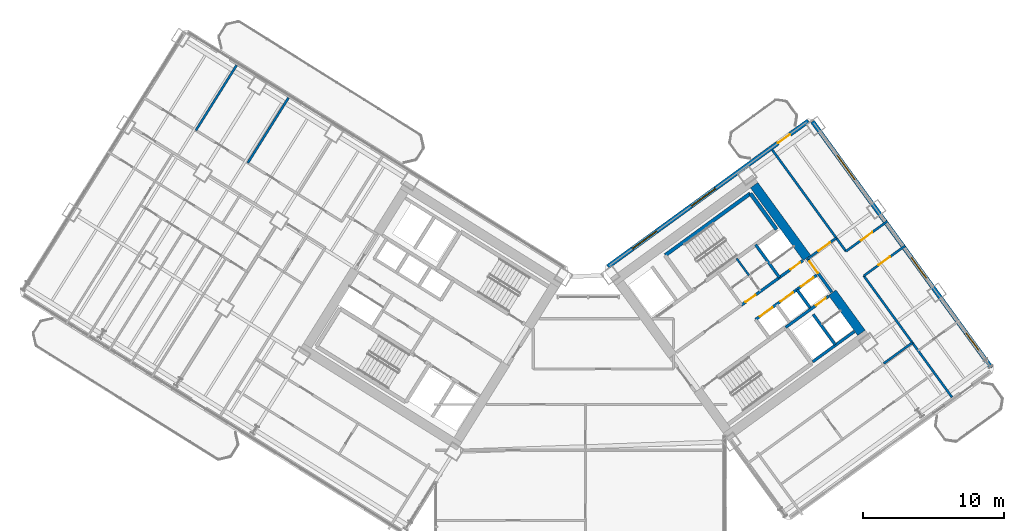
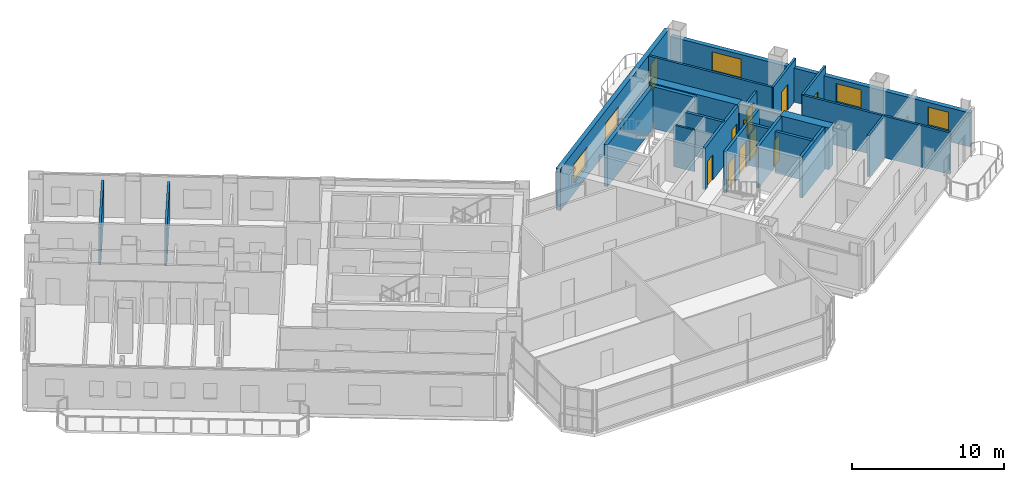
# One storey, part 19 of 28: 23 walls, 11 doors, 5 windows, 16 openings.
"""IFC4 building model written with IfcOpenShell, lengths in metres."""

from ifc_helpers import new_model, si_unit, direction, frame, frame_2d, origin, place, context, subcontext, project, spatial, rectangle, extrude, source, transform, mapped, material, layer, layer_set, type_object, element, fill, save


model = new_model("IFC4")

# Units and contexts
model_context = context("Model", 3, precision=1e-05, world=origin(), true_north=direction((0.0, 1.0)))
body_context = subcontext(model_context, "Body", "Model", "MODEL_VIEW")
ifc_project = project(units=[si_unit("LENGTHUNIT", "METRE"), si_unit("AREAUNIT", "SQUARE_METRE"), si_unit("VOLUMEUNIT", "CUBIC_METRE"), si_unit("PLANEANGLEUNIT", "RADIAN"), si_unit("MASSUNIT", "GRAM", prefix="KILO")], contexts=[model_context])

# Site, building, storey
site_placement = place(None, origin())
site = spatial("IfcSite", under=ifc_project, at=site_placement, CompositionType="ELEMENT")
building_placement = place(site_placement, origin())
building = spatial("IfcBuilding", under=site, at=building_placement, Name="Tlacorven Tower", CompositionType="ELEMENT")
storey_placement = place(building_placement, frame((0.0, 0.0, 63.60009765625)))
storey = spatial("IfcBuildingStorey", under=building, at=storey_placement, Name="L16", CompositionType="ELEMENT", Elevation=63.60009765625)

# Walls
ifc_material_1 = material(Name="Concrete C60/75", Category="concrete")
ifc_layer_1 = layer(ifc_material_1, 0.64990234375)
ifc_layer_set_1 = layer_set([ifc_layer_1], Name="Concrete C60/75")
wall_type_1 = type_object("IfcWallType", Name="WL-COR-650", PredefinedType="SHEAR", material=ifc_layer_set_1)
wall_1_placement = place(storey_placement, frame((61.9287109375, 20.494384765625, 0.0), z_axis=(0.0, 0.0, 1.0), x_axis=(-0.58782982593, 0.808984607855, 0.0)))
element("IfcWall", 1, at=wall_1_placement, inside=storey, type_object=wall_type_1, Name="L16 E core end wall E2.1", PredefinedType="SHEAR", context=body_context, shape_type="SweptSolid", body=[
    extrude(rectangle(XDim=3.52490234375, YDim=0.64990234375, at=frame_2d((1.762451171875, 0.0))), origin(), (0.0, 0.0, 1.0), 3.349853515625),
])
wall_2_placement = place(storey_placement, frame((58.06396484375, 25.8134765625, 0.0), z_axis=(0.0, 0.0, 1.0), x_axis=(-0.58777996584, 0.809020835181, 0.0)))
element("IfcWall", 2, at=wall_2_placement, inside=storey, type_object=wall_type_1, Name="L16 E core end wall E2.2", PredefinedType="SHEAR", context=body_context, shape_type="SweptSolid", body=[
    extrude(rectangle(XDim=6.375, YDim=0.64990234375, at=frame_2d((3.1875, 0.0))), origin(), (0.0, 0.0, 1.0), 3.349853515625),
])
ifc_material_2 = material(Name="Gypsum plasterboard acoustic partition", Category="gypsum")
ifc_layer_2 = layer(ifc_material_2, 0.159912109375)
ifc_layer_set_2 = layer_set([ifc_layer_2], Name="Gypsum plasterboard acoustic partition")
wall_type_2 = type_object("IfcWallType", Name="WL-DEM-160", PredefinedType="PARTITIONING", material=ifc_layer_set_2)
for number, where, z_axis, x_axis, name in (
    (3, (21.29248046875, 37.177978515625, 0.0), (0.0, 0.0, 1.0), (-0.529938539346, -0.848036051425, 0.0), "L16 partition 71"),
    (4, (17.6083984375, 39.47998046875, 0.0), (0.0, 0.0, 1.0), (-0.529906322364, -0.848056182997, 0.0), "L16 partition 72"),
):
    element("IfcWall", number, at=place(storey_placement, frame(where, z_axis=z_axis, x_axis=x_axis)), inside=storey, type_object=wall_type_2, Name=name, PredefinedType="PARTITIONING", context=body_context, shape_type="SweptSolid", body=[
        extrude(rectangle(XDim=5.449951171875, YDim=0.159912109375, at=frame_2d((2.72509765625, 0.0))), origin(), (0.0, 0.0, 1.0), 2.994873046875),
    ])
wall_3_placement = place(storey_placement, frame((63.5068359375, 18.322021484375, 0.0), z_axis=(0.0, 0.0, 1.0), x_axis=(0.809034604122, 0.587761013791, 0.0)))
element("IfcWall", 5, at=wall_3_placement, inside=storey, type_object=wall_type_2, Name="L16 partition 90", PredefinedType="PARTITIONING", context=body_context, shape_type="SweptSolid", body=[
    extrude(rectangle(XDim=2.510009765625, YDim=0.159912109375, at=frame_2d((1.2548828125, 0.0))), origin(), (0.0, 0.0, 1.0), 3.33984375),
])

# Wall, opening, door
wall_4_placement = place(storey_placement, frame((58.111083984375, 25.748779296875, 0.0), z_axis=(0.0, 0.0, 1.0), x_axis=(0.809000999347, 0.58780726693, 0.0)))
wall_4 = element("IfcWall", 6, at=wall_4_placement, inside=storey, type_object=wall_type_2, Name="L16 partition 91", PredefinedType="PARTITIONING", context=body_context, shape_type="SweptSolid", body=[
    extrude(rectangle(XDim=2.510009765625, YDim=0.159912109375, at=frame_2d((1.2548828125, 0.0))), origin(), (0.0, 0.0, 1.0), 2.724853515625),
])
opening_1_placement = place(wall_4_placement, frame((0.949951171875, 0.0, 0.0)))
opening_1 = element("IfcOpeningElement", 7, at=opening_1_placement, cuts=wall_4, Name="Opening D11", PredefinedType="OPENING", context=body_context, shape_type="SweptSolid", body=[
    extrude(rectangle(XDim=1.0, YDim=2.10009765625, at=frame_2d((0.5, 1.050048828125))), frame((0.0, 0.08984375, 0.0), z_axis=(0.0, -1.0, 0.0), x_axis=(1.0, 0.0, 0.0)), (0.0, 0.0, 1.0), 0.179931640625),
])
ifc_material_3 = material(Name="Fire-rated steel door assembly", Category="steel")
door_type_1 = type_object("IfcDoorType", Name="DR-FLT-FD60-1000", OperationType="NOTDEFINED", PredefinedType="DOOR", material=ifc_material_3)
shared_shape_1 = source(origin(), body_context, "Body", "SweptSolid", [
    extrude(rectangle(XDim=1.0, YDim=2.10009765625, at=frame_2d((0.5, 1.050048828125))), frame((0.0, 0.02490234375, 0.0), z_axis=(0.0, -1.0, 0.0), x_axis=(1.0, 0.0, 0.0)), (0.0, 0.0, 1.0), 0.050048828125),
])
door_1_placement = place(opening_1_placement, origin())
door_1 = element("IfcDoor", 8, at=door_1_placement, inside=storey, type_object=door_type_1, Name="L16 door 054", OperationType="SINGLE_SWING_RIGHT", OverallHeight=2.10009765625, OverallWidth=1.0, PredefinedType="DOOR", context=body_context, shape_type="MappedRepresentation", body=[
    mapped(shared_shape_1, transform((0.0, 0.0, 0.0), scale=1.0)),
])
fill(opening_1, door_1)

# Walls
wall_5_placement = place(storey_placement, frame((68.35302734375, 15.922119140625, 0.0), z_axis=(0.0, 0.0, 1.0), x_axis=(-0.587783168305, 0.809018508476, 0.0)))
element("IfcWall", 9, at=wall_5_placement, inside=storey, type_object=wall_type_2, Name="L16 partition 92", PredefinedType="PARTITIONING", context=body_context, shape_type="SweptSolid", body=[
    extrude(rectangle(XDim=10.650146484375, YDim=0.159912109375, at=frame_2d((5.3251953125, 0.0))), origin(), (0.0, 0.0, 1.0), 3.33984375),
])
wall_6_placement = place(storey_placement, frame((60.829345703125, 26.277587890625, 0.0), z_axis=(0.0, 0.0, 1.0), x_axis=(-0.587781800813, 0.80901950201, 0.0)))
element("IfcWall", 10, at=wall_6_placement, inside=storey, type_object=wall_type_2, Name="L16 partition 93", PredefinedType="PARTITIONING", context=body_context, shape_type="SweptSolid", body=[
    extrude(rectangle(XDim=8.89990234375, YDim=0.159912109375, at=frame_2d((4.449951171875, 0.0))), origin(), (0.0, 0.0, 1.0), 3.33984375),
])

# Wall, opening, door
wall_7_placement = place(storey_placement, frame((62.093017578125, 24.538330078125, 0.0), z_axis=(0.0, 0.0, 1.0), x_axis=(0.809035546126, 0.58775971715, 0.0)))
wall_7 = element("IfcWall", 11, at=wall_7_placement, inside=storey, type_object=wall_type_2, Name="L16 partition 95", PredefinedType="PARTITIONING", context=body_context, shape_type="SweptSolid", body=[
    extrude(rectangle(XDim=3.6298828125, YDim=0.159912109375, at=frame_2d((1.81494140625, 0.0))), origin(), (0.0, 0.0, 1.0), 3.33984375),
])
opening_2_placement = place(wall_7_placement, frame((1.304931640625, 0.0, 0.0)))
opening_2 = element("IfcOpeningElement", 12, at=opening_2_placement, cuts=wall_7, Name="Opening D11", PredefinedType="OPENING", context=body_context, shape_type="SweptSolid", body=[
    extrude(rectangle(XDim=1.0, YDim=2.10009765625, at=frame_2d((0.5, 1.050048828125))), frame((0.0, 0.08984375, 0.0), z_axis=(0.0, -1.0, 0.0), x_axis=(1.0, 0.0, 0.0)), (0.0, 0.0, 1.0), 0.179931640625),
])
door_2_placement = place(opening_2_placement, origin())
door_2 = element("IfcDoor", 13, at=door_2_placement, inside=storey, type_object=door_type_1, Name="L16 door 057", OperationType="SINGLE_SWING_LEFT", OverallHeight=2.10009765625, OverallWidth=1.0, PredefinedType="DOOR", context=body_context, shape_type="MappedRepresentation", body=[
    mapped(shared_shape_1, transform((0.0, 0.0, 0.0), scale=1.0)),
])
fill(opening_2, door_2)

wall_8_placement = place(storey_placement, frame((60.829345703125, 26.277587890625, 0.0), z_axis=(0.0, 0.0, 1.0), x_axis=(0.809003564202, 0.587803736896, 0.0)))
wall_8 = element("IfcWall", 14, at=wall_8_placement, inside=storey, type_object=wall_type_2, Name="L16 partition 96", PredefinedType="PARTITIONING", context=body_context, shape_type="SweptSolid", body=[
    extrude(rectangle(XDim=3.630126953125, YDim=0.159912109375, at=frame_2d((1.81494140625, 0.0))), origin(), (0.0, 0.0, 1.0), 3.33984375),
])
opening_3_placement = place(wall_8_placement, frame((1.304931640625, 0.0, 0.0)))
opening_3 = element("IfcOpeningElement", 15, at=opening_3_placement, cuts=wall_8, Name="Opening D11", PredefinedType="OPENING", context=body_context, shape_type="SweptSolid", body=[
    extrude(rectangle(XDim=1.0, YDim=2.10009765625, at=frame_2d((0.5, 1.050048828125))), frame((0.0, 0.08984375, 0.0), z_axis=(0.0, -1.0, 0.0), x_axis=(1.0, 0.0, 0.0)), (0.0, 0.0, 1.0), 0.179931640625),
])
door_3_placement = place(opening_3_placement, origin())
door_3 = element("IfcDoor", 16, at=door_3_placement, inside=storey, type_object=door_type_1, Name="L16 door 056", OperationType="SINGLE_SWING_LEFT", OverallHeight=2.10009765625, OverallWidth=1.0, PredefinedType="DOOR", context=body_context, shape_type="MappedRepresentation", body=[
    mapped(shared_shape_1, transform((0.0, 0.0, 0.0), scale=1.0)),
])
fill(opening_3, door_3)

# Wall, openings, door, windows
ifc_material_4 = material(Name="Precast concrete C45/55", Category="concrete")
ifc_layer_3 = layer(ifc_material_4, 0.320068359375)
ifc_layer_set_3 = layer_set([ifc_layer_3], Name="Precast concrete C45/55")
wall_type_3 = type_object("IfcWallType", Name="WL-EXT-320", PredefinedType="STANDARD", material=ifc_layer_set_3)
wall_9_placement = place(storey_placement, frame((43.93798828125, 25.191650390625, 0.0), z_axis=(0.0, 0.0, 1.0), x_axis=(0.809016324578, 0.587786174187, 0.0)))
wall_9 = element("IfcWall", 17, at=wall_9_placement, inside=storey, type_object=wall_type_3, Name="L16 Masonry-Frame Recessed Facade Wall 4", PredefinedType="STANDARD", context=body_context, shape_type="SweptSolid", body=[
    extrude(rectangle(XDim=17.58740234375, YDim=0.320068359375, at=frame_2d((8.793701171875, 0.0))), origin(), (0.0, 0.0, 1.0), 3.349853515625),
])
opening_4_placement = place(wall_9_placement, frame((14.913818359375, 0.0, 0.0)))
opening_4 = element("IfcOpeningElement", 18, at=opening_4_placement, cuts=wall_9, Name="Opening D06", PredefinedType="OPENING", context=body_context, shape_type="SweptSolid", body=[
    extrude(rectangle(XDim=1.050048828125, YDim=2.14990234375, at=frame_2d((0.52490234375, 1.074951171875))), frame((0.0, 0.169921875, 0.0), z_axis=(0.0, -1.0, 0.0), x_axis=(1.0, 0.0, 0.0)), (0.0, 0.0, 1.0), 0.340087890625),
])
opening_5_placement = place(wall_9_placement, frame((2.168701171875, 0.0, 0.800048828125)))
opening_5 = element("IfcOpeningElement", 19, at=opening_5_placement, cuts=wall_9, Name="Opening WN04", PredefinedType="OPENING", context=body_context, shape_type="SweptSolid", body=[
    extrude(rectangle(XDim=2.10009765625, YDim=1.550048828125, at=frame_2d((1.050048828125, 0.77490234375))), frame((0.0, 0.169921875, 0.0), z_axis=(0.0, -1.0, 0.0), x_axis=(1.0, 0.0, 0.0)), (0.0, 0.0, 1.0), 0.340087890625),
])
opening_6_placement = place(wall_9_placement, frame((7.318603515625, 0.0, 0.800048828125)))
opening_6 = element("IfcOpeningElement", 20, at=opening_6_placement, cuts=wall_9, Name="Opening WN04", PredefinedType="OPENING", context=body_context, shape_type="SweptSolid", body=[
    extrude(rectangle(XDim=2.10009765625, YDim=1.550048828125, at=frame_2d((1.050048828125, 0.77490234375))), frame((0.0, 0.169921875, 0.0), z_axis=(0.0, -1.0, 0.0), x_axis=(1.0, 0.0, 0.0)), (0.0, 0.0, 1.0), 0.340087890625),
])
ifc_material_5 = material(Name="Powder-coated aluminium and timber door", Category="wood")
door_type_2 = type_object("IfcDoorType", Name="DR-EXT-BALC-1050", OperationType="NOTDEFINED", PredefinedType="DOOR", material=ifc_material_5)
shared_shape_2 = source(origin(), body_context, "Body", "SweptSolid", [
    extrude(rectangle(XDim=1.050048828125, YDim=2.14990234375, at=frame_2d((0.52490234375, 1.074951171875))), frame((0.0, 0.02490234375, 0.0), z_axis=(0.0, -1.0, 0.0), x_axis=(1.0, 0.0, 0.0)), (0.0, 0.0, 1.0), 0.050048828125),
])
door_4_placement = place(opening_4_placement, origin())
door_4 = element("IfcDoor", 21, at=door_4_placement, inside=storey, type_object=door_type_2, Name="L16 Outdoor Access Door BAL-L16-E-IN", OperationType="SINGLE_SWING_RIGHT", OverallHeight=2.14990234375, OverallWidth=1.050048828125, PredefinedType="DOOR", context=body_context, shape_type="MappedRepresentation", body=[
    mapped(shared_shape_2, transform((0.0, 0.0, 0.0), scale=1.0)),
])
fill(opening_4, door_4)
ifc_material_6 = material(Name="Dark solar low-E double glazing in anodised aluminium frame", Category="aluminium")
window_type_1 = type_object("IfcWindowType", Name="WN-APT-2100X1750", PartitioningType="SINGLE_PANEL", PredefinedType="WINDOW", material=ifc_material_6)
shared_shape_3 = source(origin(), body_context, "Body", "SweptSolid", [
    extrude(rectangle(XDim=2.10009765625, YDim=1.550048828125, at=frame_2d((1.050048828125, 0.77490234375))), frame((0.0, 0.030029296875, 0.0), z_axis=(0.0, -1.0, 0.0), x_axis=(1.0, 0.0, 0.0)), (0.0, 0.0, 1.0), 0.06005859375),
])
window_1_placement = place(opening_5_placement, origin())
window_1 = element("IfcWindow", 22, at=window_1_placement, inside=storey, type_object=window_type_1, Name="L16 Recessed Masonry-Frame Window L16-04.1", OverallHeight=1.550048828125, OverallWidth=2.10009765625, PartitioningType="SINGLE_PANEL", PredefinedType="WINDOW", context=body_context, shape_type="MappedRepresentation", body=[
    mapped(shared_shape_3, transform((0.0, 0.0, 0.0), scale=1.0)),
])
fill(opening_5, window_1)
window_2_placement = place(opening_6_placement, origin())
window_2 = element("IfcWindow", 23, at=window_2_placement, inside=storey, type_object=window_type_1, Name="L16 Recessed Masonry-Frame Window L16-04.2", OverallHeight=1.550048828125, OverallWidth=2.10009765625, PartitioningType="SINGLE_PANEL", PredefinedType="WINDOW", context=body_context, shape_type="MappedRepresentation", body=[
    mapped(shared_shape_3, transform((0.0, 0.0, 0.0), scale=1.0)),
])
fill(opening_6, window_2)

# Wall, openings, windows
wall_10_placement = place(storey_placement, frame((58.45458984375, 35.483642578125, 0.0), z_axis=(0.0, 0.0, 1.0), x_axis=(0.587783625747, -0.809018176127, 0.0)))
wall_10 = element("IfcWall", 24, at=wall_10_placement, inside=storey, type_object=wall_type_3, Name="L16 Masonry-Frame Recessed Facade Wall 5", PredefinedType="STANDARD", context=body_context, shape_type="SweptSolid", body=[
    extrude(rectangle(XDim=21.58740234375, YDim=0.320068359375, at=frame_2d((10.793701171875, 0.0))), origin(), (0.0, 0.0, 1.0), 2.724853515625),
])
opening_7_placement = place(wall_10_placement, frame((2.99365234375, 0.0, 0.800048828125)))
opening_7 = element("IfcOpeningElement", 25, at=opening_7_placement, cuts=wall_10, Name="Opening WN04", PredefinedType="OPENING", context=body_context, shape_type="SweptSolid", body=[
    extrude(rectangle(XDim=2.10009765625, YDim=1.550048828125, at=frame_2d((1.050048828125, 0.77490234375))), frame((0.0, 0.169921875, 0.0), z_axis=(0.0, -1.0, 0.0), x_axis=(1.0, 0.0, 0.0)), (0.0, 0.0, 1.0), 0.340087890625),
])
opening_8_placement = place(wall_10_placement, frame((11.93359375, 0.0, 0.85009765625)))
opening_8 = element("IfcOpeningElement", 26, at=opening_8_placement, cuts=wall_10, Name="Opening WN01", PredefinedType="OPENING", context=body_context, shape_type="SweptSolid", body=[
    extrude(rectangle(XDim=1.800048828125, YDim=1.5, at=frame_2d((0.89990234375, 0.75))), frame((0.0, 0.169921875, 0.0), z_axis=(0.0, -1.0, 0.0), x_axis=(1.0, 0.0, 0.0)), (0.0, 0.0, 1.0), 0.340087890625),
])
opening_9_placement = place(wall_10_placement, frame((18.53466796875, 0.0, 0.85009765625)))
opening_9 = element("IfcOpeningElement", 27, at=opening_9_placement, cuts=wall_10, Name="Opening WN02", PredefinedType="OPENING", context=body_context, shape_type="SweptSolid", body=[
    extrude(rectangle(XDim=1.5, YDim=1.5, at=frame_2d((0.75, 0.75))), frame((0.0, 0.169921875, 0.0), z_axis=(0.0, -1.0, 0.0), x_axis=(1.0, 0.0, 0.0)), (0.0, 0.0, 1.0), 0.340087890625),
])
window_3_placement = place(opening_7_placement, origin())
window_3 = element("IfcWindow", 28, at=window_3_placement, inside=storey, type_object=window_type_1, Name="L16 Recessed Masonry-Frame Window L16-05.1", OverallHeight=1.550048828125, OverallWidth=2.10009765625, PartitioningType="SINGLE_PANEL", PredefinedType="WINDOW", context=body_context, shape_type="MappedRepresentation", body=[
    mapped(shared_shape_3, transform((0.0, 0.0, 0.0), scale=1.0)),
])
fill(opening_7, window_3)
window_type_2 = type_object("IfcWindowType", Name="WN-APT-1800X1650", PartitioningType="SINGLE_PANEL", PredefinedType="WINDOW", material=ifc_material_6)
shared_shape_4 = source(origin(), body_context, "Body", "SweptSolid", [
    extrude(rectangle(XDim=1.800048828125, YDim=1.5, at=frame_2d((0.89990234375, 0.75))), frame((0.0, 0.030029296875, 0.0), z_axis=(0.0, -1.0, 0.0), x_axis=(1.0, 0.0, 0.0)), (0.0, 0.0, 1.0), 0.06005859375),
])
window_4_placement = place(opening_8_placement, origin())
window_4 = element("IfcWindow", 29, at=window_4_placement, inside=storey, type_object=window_type_2, Name="L16 Recessed Masonry-Frame Window L16-05.2", OverallHeight=1.5, OverallWidth=1.800048828125, PartitioningType="SINGLE_PANEL", PredefinedType="WINDOW", context=body_context, shape_type="MappedRepresentation", body=[
    mapped(shared_shape_4, transform((0.0, 0.0, 0.0), scale=1.0)),
])
fill(opening_8, window_4)
window_type_3 = type_object("IfcWindowType", Name="WN-APT-1500X1650", PartitioningType="SINGLE_PANEL", PredefinedType="WINDOW", material=ifc_material_6)
shared_shape_5 = source(origin(), body_context, "Body", "SweptSolid", [
    extrude(rectangle(XDim=1.5, YDim=1.5, at=frame_2d((0.75, 0.75))), frame((0.0, 0.030029296875, 0.0), z_axis=(0.0, -1.0, 0.0), x_axis=(1.0, 0.0, 0.0)), (0.0, 0.0, 1.0), 0.06005859375),
])
window_5_placement = place(opening_9_placement, origin())
window_5 = element("IfcWindow", 30, at=window_5_placement, inside=storey, type_object=window_type_3, Name="L16 Recessed Masonry-Frame Window L16-05.3", OverallHeight=1.5, OverallWidth=1.5, PartitioningType="SINGLE_PANEL", PredefinedType="WINDOW", context=body_context, shape_type="MappedRepresentation", body=[
    mapped(shared_shape_5, transform((0.0, 0.0, 0.0), scale=1.0)),
])
fill(opening_9, window_5)

# Wall
ifc_material_7 = material(Name="Moisture-resistant gypsum plumbing wall", Category="gypsum")
ifc_layer_4 = layer(ifc_material_7, 0.139892578125)
ifc_layer_set_4 = layer_set([ifc_layer_4], Name="Moisture-resistant gypsum plumbing wall")
wall_type_4 = type_object("IfcWallType", Name="WL-PLM-140", PredefinedType="PLUMBINGWALL", material=ifc_layer_set_4)
wall_11_placement = place(storey_placement, frame((53.94482421875, 24.575927734375, 0.0), z_axis=(0.0, 0.0, 1.0), x_axis=(-0.587897037186, 0.808935766095, 0.0)))
element("IfcWall", 31, at=wall_11_placement, inside=storey, type_object=wall_type_4, Name="L16 partition 47", PredefinedType="PLUMBINGWALL", context=body_context, shape_type="SweptSolid", body=[
    extrude(rectangle(XDim=1.47998046875, YDim=0.139892578125, at=frame_2d((0.739990234375, 0.0))), origin(), (0.0, 0.0, 1.0), 3.33984375),
])

# Wall, opening, door
ifc_material_8 = material(Name="Concrete C40/50", Category="concrete")
ifc_layer_5 = layer(ifc_material_8, 0.199951171875)
ifc_layer_set_5 = layer_set([ifc_layer_5], Name="Concrete C40/50")
wall_type_5 = type_object("IfcWallType", Name="WL-SHF-200", PredefinedType="STANDARD", material=ifc_layer_set_5)
wall_12_placement = place(storey_placement, frame((56.552978515625, 20.884033203125, 0.0), z_axis=(0.0, 0.0, 1.0), x_axis=(0.809035789462, 0.587759382205, 0.0)))
wall_12 = element("IfcWall", 32, at=wall_12_placement, inside=storey, type_object=wall_type_5, Name="L16 Core E South Lift Shaft Wall", PredefinedType="STANDARD", context=body_context, shape_type="SweptSolid", body=[
    extrude(rectangle(XDim=3.767822265625, YDim=0.199951171875, at=frame_2d((1.8837890625, 0.0))), origin(), (0.0, 0.0, 1.0), 3.33984375),
])
opening_10_placement = place(wall_12_placement, frame((2.64990234375, 0.0, 0.0)))
opening_10 = element("IfcOpeningElement", 33, at=opening_10_placement, cuts=wall_12, Name="Opening D19", PredefinedType="OPENING", context=body_context, shape_type="SweptSolid", body=[
    extrude(rectangle(XDim=0.860107421875, YDim=2.050048828125, at=frame_2d((0.43017578125, 1.02490234375))), frame((0.0, 0.10986328125, 0.0), z_axis=(0.0, -1.0, 0.0), x_axis=(1.0, 0.0, 0.0)), (0.0, 0.0, 1.0), 0.219970703125),
])
door_type_3 = type_object("IfcDoorType", Name="DR-RSR-FD60-0860", OperationType="NOTDEFINED", PredefinedType="DOOR", material=ifc_material_3)
shared_shape_6 = source(origin(), body_context, "Body", "SweptSolid", [
    extrude(rectangle(XDim=0.860107421875, YDim=2.050048828125, at=frame_2d((0.43017578125, 1.02490234375))), frame((0.0, 0.02490234375, 0.0), z_axis=(0.0, -1.0, 0.0), x_axis=(1.0, 0.0, 0.0)), (0.0, 0.0, 1.0), 0.050048828125),
])
door_5_placement = place(opening_10_placement, origin())
door_5 = element("IfcDoor", 34, at=door_5_placement, inside=storey, type_object=door_type_3, Name="L16 Smoke Extract Riser Access Door", OperationType="SINGLE_SWING_LEFT", OverallHeight=2.050048828125, OverallWidth=0.860107421875, PredefinedType="DOOR", context=body_context, shape_type="MappedRepresentation", body=[
    mapped(shared_shape_6, transform((0.0, 0.0, 0.0), scale=1.0)),
])
fill(opening_10, door_5)

# Wall, openings, doors
wall_13_placement = place(storey_placement, frame((54.421142578125, 21.436279296875, 0.0), z_axis=(0.0, 0.0, 1.0), x_axis=(0.809013710463, 0.587789772183, 0.0)))
wall_13 = element("IfcWall", 35, at=wall_13_placement, inside=storey, type_object=wall_type_5, Name="L16 partition 34", PredefinedType="STANDARD", context=body_context, shape_type="SweptSolid", body=[
    extrude(rectangle(XDim=5.360107421875, YDim=0.199951171875, at=frame_2d((2.68017578125, 0.0))), origin(), (0.0, 0.0, 1.0), 3.33984375),
])
opening_11_placement = place(wall_13_placement, frame((0.3701171875, 0.0, 0.0)))
opening_11 = element("IfcOpeningElement", 36, at=opening_11_placement, cuts=wall_13, Name="Opening LD01", PredefinedType="OPENING", context=body_context, shape_type="SweptSolid", body=[
    extrude(rectangle(XDim=1.10009765625, YDim=2.14990234375, at=frame_2d((0.550048828125, 1.074951171875))), frame((0.0, 0.10986328125, 0.0), z_axis=(0.0, -1.0, 0.0), x_axis=(1.0, 0.0, 0.0)), (0.0, 0.0, 1.0), 0.219970703125),
])
opening_12_placement = place(wall_13_placement, frame((2.169921875, 0.0, 0.0)))
opening_12 = element("IfcOpeningElement", 37, at=opening_12_placement, cuts=wall_13, Name="Opening LD01", PredefinedType="OPENING", context=body_context, shape_type="SweptSolid", body=[
    extrude(rectangle(XDim=1.10009765625, YDim=2.14990234375, at=frame_2d((0.550048828125, 1.074951171875))), frame((0.0, 0.10986328125, 0.0), z_axis=(0.0, -1.0, 0.0), x_axis=(1.0, 0.0, 0.0)), (0.0, 0.0, 1.0), 0.219970703125),
])
opening_13_placement = place(wall_13_placement, frame((3.969970703125, 0.0, 0.0)))
opening_13 = element("IfcOpeningElement", 38, at=opening_13_placement, cuts=wall_13, Name="Opening LD01", PredefinedType="OPENING", context=body_context, shape_type="SweptSolid", body=[
    extrude(rectangle(XDim=1.10009765625, YDim=2.14990234375, at=frame_2d((0.550048828125, 1.074951171875))), frame((0.0, 0.10986328125, 0.0), z_axis=(0.0, -1.0, 0.0), x_axis=(1.0, 0.0, 0.0)), (0.0, 0.0, 1.0), 0.219970703125),
])
door_type_4 = type_object("IfcDoorType", Name="DR-LFT-SLID-1100", OperationType="DOUBLE_DOOR_SLIDING", PredefinedType="DOOR", material=ifc_material_3)
shared_shape_7 = source(origin(), body_context, "Body", "SweptSolid", [
    extrude(rectangle(XDim=1.10009765625, YDim=2.14990234375, at=frame_2d((0.550048828125, 1.074951171875))), frame((0.0, 0.02490234375, 0.0), z_axis=(0.0, -1.0, 0.0), x_axis=(1.0, 0.0, 0.0)), (0.0, 0.0, 1.0), 0.050048828125),
])
door_6_placement = place(opening_11_placement, origin())
door_6 = element("IfcDoor", 39, at=door_6_placement, inside=storey, type_object=door_type_4, Name="L16 Lift PL-L1 Sliding Landing Door", OperationType="DOUBLE_DOOR_SLIDING", OverallHeight=2.14990234375, OverallWidth=1.10009765625, PredefinedType="DOOR", context=body_context, shape_type="MappedRepresentation", body=[
    mapped(shared_shape_7, transform((0.0, 0.0, 0.0), scale=1.0)),
])
fill(opening_11, door_6)
door_7_placement = place(opening_12_placement, origin())
door_7 = element("IfcDoor", 40, at=door_7_placement, inside=storey, type_object=door_type_4, Name="L16 Lift PL-L2 Sliding Landing Door", OperationType="DOUBLE_DOOR_SLIDING", OverallHeight=2.14990234375, OverallWidth=1.10009765625, PredefinedType="DOOR", context=body_context, shape_type="MappedRepresentation", body=[
    mapped(shared_shape_7, transform((0.0, 0.0, 0.0), scale=1.0)),
])
fill(opening_12, door_7)
door_8_placement = place(opening_13_placement, origin())
door_8 = element("IfcDoor", 41, at=door_8_placement, inside=storey, type_object=door_type_4, Name="L16 Lift PL-L3 Sliding Landing Door", OperationType="DOUBLE_DOOR_SLIDING", OverallHeight=2.14990234375, OverallWidth=1.10009765625, PredefinedType="DOOR", context=body_context, shape_type="MappedRepresentation", body=[
    mapped(shared_shape_7, transform((0.0, 0.0, 0.0), scale=1.0)),
])
fill(opening_13, door_8)

# Walls
wall_14_placement = place(storey_placement, frame((58.290283203125, 22.269775390625, 0.0), z_axis=(0.0, 0.0, 1.0), x_axis=(-0.587840865826, 0.808976585857, 0.0)))
element("IfcWall", 42, at=wall_14_placement, inside=storey, type_object=wall_type_5, Name="L16 partition 38", PredefinedType="STANDARD", context=body_context, shape_type="SweptSolid", body=[
    extrude(rectangle(XDim=1.579833984375, YDim=0.199951171875, at=frame_2d((0.7900390625, 0.0))), origin(), (0.0, 0.0, 1.0), 3.33984375),
])
wall_15_placement = place(storey_placement, frame((60.066650390625, 19.654541015625, 0.0), z_axis=(0.0, 0.0, 1.0), x_axis=(-0.587800520745, 0.809005900975, 0.0)))
element("IfcWall", 43, at=wall_15_placement, inside=storey, type_object=wall_type_5, Name="L16 partition 39", PredefinedType="STANDARD", context=body_context, shape_type="SweptSolid", body=[
    extrude(rectangle(XDim=2.659912109375, YDim=0.199951171875, at=frame_2d((1.330078125, 0.0))), origin(), (0.0, 0.0, 1.0), 3.33984375),
])
wall_16_placement = place(storey_placement, frame((58.47216796875, 18.446533203125, 0.0), z_axis=(0.0, 0.0, 1.0), x_axis=(0.809022487728, 0.587777691266, 0.0)))
element("IfcWall", 44, at=wall_16_placement, inside=storey, type_object=wall_type_5, Name="L16 partition 41", PredefinedType="STANDARD", context=body_context, shape_type="SweptSolid", body=[
    extrude(rectangle(XDim=3.648193359375, YDim=0.199951171875, at=frame_2d((1.82421875, 0.0))), origin(), (0.0, 0.0, 1.0), 3.33984375),
])
wall_17_placement = place(storey_placement, frame((56.110595703125, 24.4189453125, 0.0), z_axis=(0.0, 0.0, 1.0), x_axis=(-0.58777848983, 0.809021907548, 0.0)))
element("IfcWall", 45, at=wall_17_placement, inside=storey, type_object=wall_type_5, Name="L16 partition 44", PredefinedType="STANDARD", context=body_context, shape_type="SweptSolid", body=[
    extrude(rectangle(XDim=2.880126953125, YDim=0.199951171875, at=frame_2d((1.43994140625, 0.0))), origin(), (0.0, 0.0, 1.0), 3.33984375),
])

# Wall, openings, doors
wall_18_placement = place(storey_placement, frame((53.424560546875, 22.467529296875, 0.0), z_axis=(0.0, 0.0, 1.0), x_axis=(0.80902705128, 0.587771409902, 0.0)))
wall_18 = element("IfcWall", 46, at=wall_18_placement, inside=storey, type_object=wall_type_5, Name="L16 Core E North Service Wall", PredefinedType="STANDARD", context=body_context, shape_type="SweptSolid", body=[
    extrude(rectangle(XDim=5.3681640625, YDim=0.199951171875, at=frame_2d((2.68408203125, 0.0))), origin(), (0.0, 0.0, 1.0), 3.33984375),
])
opening_14_placement = place(wall_18_placement, frame((4.280029296875, 0.0, 0.0)))
opening_14 = element("IfcOpeningElement", 47, at=opening_14_placement, cuts=wall_18, Name="Opening D19", PredefinedType="OPENING", context=body_context, shape_type="SweptSolid", body=[
    extrude(rectangle(XDim=0.860107421875, YDim=2.050048828125, at=frame_2d((0.43017578125, 1.02490234375))), frame((0.0, 0.10986328125, 0.0), z_axis=(0.0, -1.0, 0.0), x_axis=(1.0, 0.0, 0.0)), (0.0, 0.0, 1.0), 0.219970703125),
])
opening_15_placement = place(wall_18_placement, frame((0.35009765625, 0.0, 0.0)))
opening_15 = element("IfcOpeningElement", 48, at=opening_15_placement, cuts=wall_18, Name="Opening D19", PredefinedType="OPENING", context=body_context, shape_type="SweptSolid", body=[
    extrude(rectangle(XDim=0.860107421875, YDim=2.050048828125, at=frame_2d((0.43017578125, 1.02490234375))), frame((0.0, 0.10986328125, 0.0), z_axis=(0.0, -1.0, 0.0), x_axis=(1.0, 0.0, 0.0)), (0.0, 0.0, 1.0), 0.219970703125),
])
door_9_placement = place(opening_14_placement, frame((0.860107421875, 0.0, 0.0), z_axis=(0.0, 0.0, 1.0), x_axis=(-1.0, 0.0, 0.0)))
door_9 = element("IfcDoor", 49, at=door_9_placement, inside=storey, type_object=door_type_3, Name="L16 Electrical Riser Access Door E", OperationType="SINGLE_SWING_RIGHT", OverallHeight=2.050048828125, OverallWidth=0.860107421875, PredefinedType="DOOR", context=body_context, shape_type="MappedRepresentation", body=[
    mapped(shared_shape_6, transform((0.0, 0.0, 0.0), scale=1.0)),
])
fill(opening_14, door_9)
door_10_placement = place(opening_15_placement, frame((0.860107421875, 0.0, 0.0), z_axis=(0.0, 0.0, 1.0), x_axis=(-1.0, 0.0, 0.0)))
door_10 = element("IfcDoor", 50, at=door_10_placement, inside=storey, type_object=door_type_3, Name="L16 Cleaning Room Access Door E", OperationType="SINGLE_SWING_LEFT", OverallHeight=2.050048828125, OverallWidth=0.860107421875, PredefinedType="DOOR", context=body_context, shape_type="MappedRepresentation", body=[
    mapped(shared_shape_6, transform((0.0, 0.0, 0.0), scale=1.0)),
])
fill(opening_15, door_10)

# Wall, opening, door
wall_19_placement = place(storey_placement, frame((59.827392578125, 23.386474609375, 0.0), z_axis=(0.0, 0.0, 1.0), x_axis=(-0.587803840107, 0.809003489211, 0.0)))
wall_19 = element("IfcWall", 51, at=wall_19_placement, inside=storey, type_object=wall_type_5, Name="L16 partition 89", PredefinedType="STANDARD", context=body_context, shape_type="SweptSolid", body=[
    extrude(rectangle(XDim=2.960205078125, YDim=0.199951171875, at=frame_2d((1.47998046875, 0.0))), origin(), (0.0, 0.0, 1.0), 3.33984375),
])
opening_16_placement = place(wall_19_placement, frame((1.679931640625, 0.0, 0.0)))
opening_16 = element("IfcOpeningElement", 52, at=opening_16_placement, cuts=wall_19, Name="Opening D11", PredefinedType="OPENING", context=body_context, shape_type="SweptSolid", body=[
    extrude(rectangle(XDim=1.0, YDim=2.10009765625, at=frame_2d((0.5, 1.050048828125))), frame((0.0, 0.10986328125, 0.0), z_axis=(0.0, -1.0, 0.0), x_axis=(1.0, 0.0, 0.0)), (0.0, 0.0, 1.0), 0.219970703125),
])
door_11_placement = place(opening_16_placement, origin())
door_11 = element("IfcDoor", 53, at=door_11_placement, inside=storey, type_object=door_type_1, Name="L16 door 055", OperationType="SINGLE_SWING_LEFT", OverallHeight=2.10009765625, OverallWidth=1.0, PredefinedType="DOOR", context=body_context, shape_type="MappedRepresentation", body=[
    mapped(shared_shape_1, transform((0.0, 0.0, 0.0), scale=1.0)),
])
fill(opening_16, door_11)

# Walls
ifc_material_9 = material(Name="Concrete C50/60", Category="concrete")
ifc_layer_6 = layer(ifc_material_9, 0.260009765625)
ifc_layer_set_6 = layer_set([ifc_layer_6], Name="Concrete C50/60")
wall_type_6 = type_object("IfcWallType", Name="WL-STW-260", PredefinedType="SHEAR", material=ifc_layer_set_6)
wall_20_placement = place(storey_placement, frame((48.005615234375, 25.996337890625, 0.0), z_axis=(0.0, 0.0, 1.0), x_axis=(0.80901903764, 0.587782439969, 0.0)))
element("IfcWall", 54, at=wall_20_placement, inside=storey, type_object=wall_type_6, Name="L16 Stair E1 Far Shear Wall", PredefinedType="SHEAR", context=body_context, shape_type="SweptSolid", body=[
    extrude(rectangle(XDim=7.4599609375, YDim=0.260009765625, at=frame_2d((3.72998046875, 0.0))), origin(), (0.0, 0.0, 1.0), 3.349853515625),
])
wall_21_placement = place(storey_placement, frame((55.906494140625, 27.83056640625, 0.0), z_axis=(0.0, 0.0, 1.0), x_axis=(-0.587804123638, 0.809003283204, 0.0)))
element("IfcWall", 55, at=wall_21_placement, inside=storey, type_object=wall_type_6, Name="L16 Stair E1 East Shear Wall", PredefinedType="SHEAR", context=body_context, shape_type="SweptSolid", body=[
    extrude(rectangle(XDim=3.159912109375, YDim=0.260009765625, at=frame_2d((1.580078125, 0.0))), origin(), (0.0, 0.0, 1.0), 3.349853515625),
])

save(model, "model.ifc")
